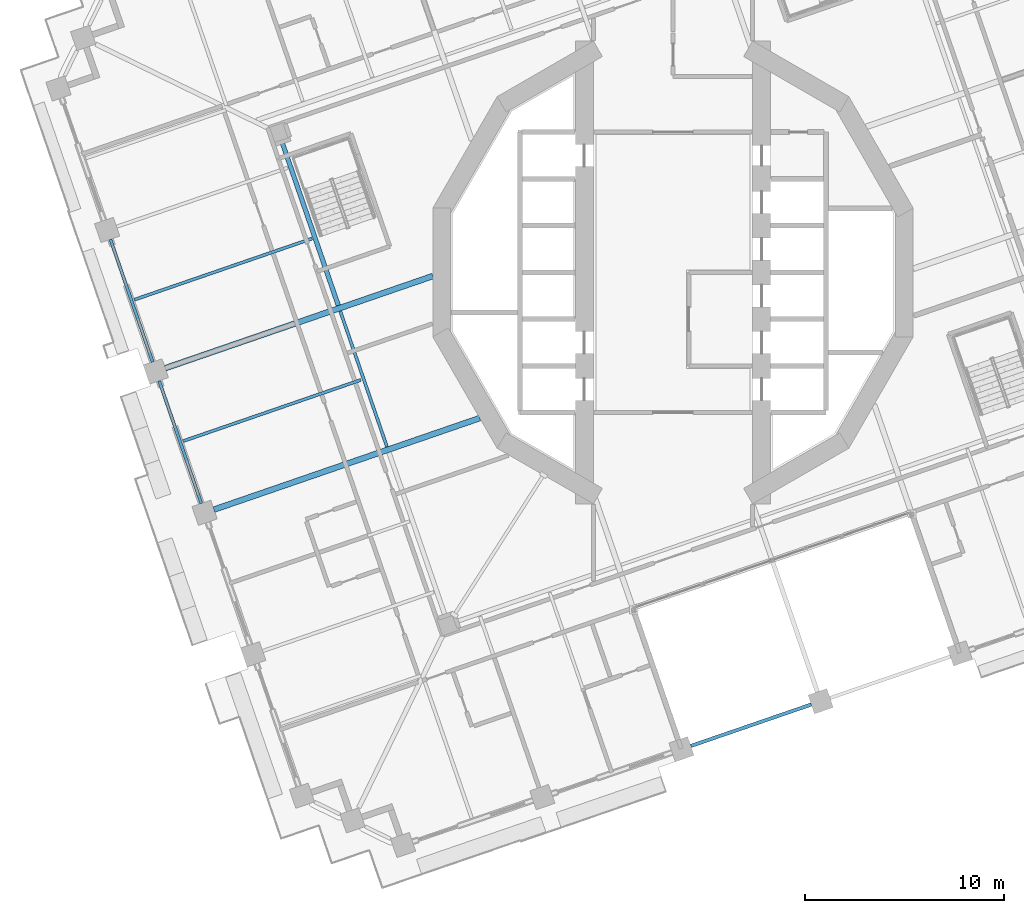
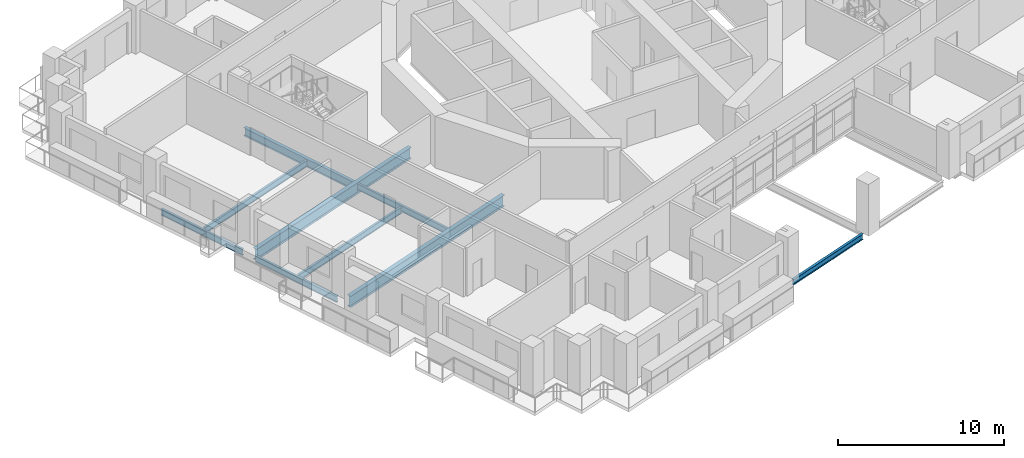
# One storey, part 3 of 22: 9 beams.
"""IFC4 building model written with IfcOpenShell, lengths in metres."""

from ifc_helpers import new_model, si_unit, direction, frame, origin, origin_2d, place, context, subcontext, project, spatial, i_section, extrude, material, material_profile, profile_set, type_object, element, save


model = new_model("IFC4")

# Units and contexts
model_context = context("Model", 3, precision=1e-05, world=origin(), true_north=direction((0.0, 1.0)))
body_context = subcontext(model_context, "Body", "Model", "MODEL_VIEW")
ifc_project = project(units=[si_unit("LENGTHUNIT", "METRE"), si_unit("AREAUNIT", "SQUARE_METRE"), si_unit("VOLUMEUNIT", "CUBIC_METRE"), si_unit("PLANEANGLEUNIT", "RADIAN"), si_unit("MASSUNIT", "GRAM", prefix="KILO")], contexts=[model_context])

# Site, building, storey
site_placement = place(None, origin())
site = spatial("IfcSite", under=ifc_project, at=site_placement, CompositionType="ELEMENT")
building_placement = place(site_placement, origin())
building = spatial("IfcBuilding", under=site, at=building_placement, Name="Cantera Rosa Tower", CompositionType="ELEMENT")
storey_placement = place(building_placement, frame((0.0, 0.0, 107.89990234375)))
storey = spatial("IfcBuildingStorey", under=building, at=storey_placement, Name="L21", CompositionType="ELEMENT", Elevation=107.89990234375)

# Beams
ifc_material_1 = material(Name="Steel ASTM A992 (Fy 345 MPa)", Category="steel")
ifc_material_profile_1 = material_profile(ifc_material_1, i_section(OverallWidth=0.154052734375, OverallDepth=0.4599609375, WebThickness=0.009033203125, FlangeThickness=0.015380859375, FilletRadius=0.01025390625, at=origin_2d()), Name="W460X68")
ifc_profile_set_1 = profile_set([ifc_material_profile_1], Name="Steel ASTM A992 (Fy 345 MPa)")
beam_type_1 = type_object("IfcBeamType", Name="STEEL BEAM W460X68", PredefinedType="BEAM", material=ifc_profile_set_1)
beam_1_placement = place(storey_placement, frame((-14.37841796875, -8.768798828125, -0.47998046875), z_axis=(-0.325575881702, 0.94551591486, 0.0), x_axis=(-0.94551591486, -0.325575881702, 0.0)))
element("IfcBeam", 1, at=beam_1_placement, inside=storey, type_object=beam_type_1, Name="RB-Z2-13 L21", PredefinedType="BEAM", context=body_context, shape_type="SweptSolid", body=[
    extrude(i_section(OverallWidth=0.154052734375, OverallDepth=0.4599609375, WebThickness=0.009033203125, FlangeThickness=0.015380859375, FilletRadius=0.01025390625, at=origin_2d()), origin(), (0.0, 0.0, 1.0), 7.2197265625),
])
ifc_material_2 = material(Name="Steel ASTM A992 (Fy 345 MPa)", Category="steel")
ifc_material_profile_2 = material_profile(ifc_material_2, i_section(OverallWidth=0.22802734375, OverallDepth=0.60205078125, WebThickness=0.010498046875, FlangeThickness=0.014892578125, FilletRadius=0.0126953125, at=origin_2d()), Name="W610X101")
ifc_profile_set_2 = profile_set([ifc_material_profile_2], Name="Steel ASTM A992 (Fy 345 MPa)")
beam_type_2 = type_object("IfcBeamType", Name="STEEL BEAM W610X101", PredefinedType="BEAM", material=ifc_profile_set_2)
beam_2_placement = place(storey_placement, frame((-16.82666015625, -1.65869140625, -0.55078125), z_axis=(-0.325584584945, 0.945512917969, 0.0), x_axis=(-0.945512917969, -0.325584584945, 0.0)))
element("IfcBeam", 2, at=beam_2_placement, inside=storey, type_object=beam_type_2, Name="RB-Z2-14 L21", PredefinedType="BEAM", context=body_context, shape_type="SweptSolid", body=[
    extrude(i_section(OverallWidth=0.22802734375, OverallDepth=0.60205078125, WebThickness=0.010498046875, FlangeThickness=0.014892578125, FilletRadius=0.0126953125, at=origin_2d()), origin(), (0.0, 0.0, 1.0), 8.68994140625),
])
ifc_material_3 = material(Name="Steel ASTM A992 (Fy 345 MPa)", Category="steel")
ifc_material_profile_3 = material_profile(ifc_material_3, i_section(OverallWidth=0.2919921875, OverallDepth=0.8359375, WebThickness=0.013916015625, FlangeThickness=0.018798828125, FilletRadius=0.017822265625, at=origin_2d()), Name="W840X176")
ifc_profile_set_3 = profile_set([ifc_material_profile_3], Name="Steel ASTM A992 (Fy 345 MPa)")
beam_type_3 = type_object("IfcBeamType", Name="STEEL BEAM W840X176", PredefinedType="BEAM", material=ifc_profile_set_3)
beam_3_placement = place(storey_placement, frame((-25.52392578125, -4.81201171875, -0.66796875), z_axis=(0.945515154884, 0.325578088765, 0.0), x_axis=(-0.325578088765, 0.945515154884, 0.0)))
element("IfcBeam", 3, at=beam_3_placement, inside=storey, type_object=beam_type_3, Name="G-Z2-16 L21", PredefinedType="BEAM", context=body_context, shape_type="SweptSolid", body=[
    extrude(i_section(OverallWidth=0.2919921875, OverallDepth=0.8359375, WebThickness=0.013916015625, FlangeThickness=0.018798828125, FilletRadius=0.017822265625, at=origin_2d()), origin(), (0.0, 0.0, 1.0), 14.22509765625),
])
beam_4_placement = place(storey_placement, frame((-23.07568359375, -11.92236328125, -0.66796875), z_axis=(0.945516836256, 0.325573205833, 0.0), x_axis=(-0.325573205833, 0.945516836256, 0.0)))
element("IfcBeam", 4, at=beam_4_placement, inside=storey, type_object=beam_type_3, Name="G-Z2-17 L21", PredefinedType="BEAM", context=body_context, shape_type="SweptSolid", body=[
    extrude(i_section(OverallWidth=0.2919921875, OverallDepth=0.8359375, WebThickness=0.013916015625, FlangeThickness=0.018798828125, FilletRadius=0.017822265625, at=origin_2d()), origin(), (0.0, 0.0, 1.0), 14.130615234375),
])
ifc_material_4 = material(Name="Steel ASTM A992 (Fy 345 MPa)", Category="steel")
ifc_material_profile_4 = material_profile(ifc_material_4, i_section(OverallWidth=0.154052734375, OverallDepth=0.4599609375, WebThickness=0.009033203125, FlangeThickness=0.015380859375, FilletRadius=0.01025390625, at=origin_2d()), Name="W460X68")
ifc_profile_set_4 = profile_set([ifc_material_profile_4], Name="Steel ASTM A992 (Fy 345 MPa)")
beam_type_4 = type_object("IfcBeamType", Name="STEEL JOIST W460X68", PredefinedType="JOIST", material=ifc_profile_set_4)
for number, where, z_axis, x_axis, name in (
    (5, (-27.0791015625, -1.370849609375, -0.47998046875), (0.945518943957, 0.325567084667, 0.0), (-0.325567084667, 0.945518943957, 0.0), "B-Z2-19 L21"),
    (6, (-24.630859375, -8.48095703125, -0.47998046875), (0.945526896389, 0.325543988125, 0.0), (-0.325543988125, 0.945526896389, 0.0), "B-Z2-20 L21"),
):
    element("IfcBeam", number, at=place(storey_placement, frame(where, z_axis=z_axis, x_axis=x_axis)), inside=storey, type_object=beam_type_4, Name=name, PredefinedType="JOIST", context=body_context, shape_type="SweptSolid", body=[
        extrude(i_section(OverallWidth=0.154052734375, OverallDepth=0.4599609375, WebThickness=0.009033203125, FlangeThickness=0.015380859375, FilletRadius=0.01025390625, at=origin_2d()), origin(), (0.0, 0.0, 1.0), 9.4501953125),
    ])
ifc_material_5 = material(Name="Steel ASTM A992 (Fy 345 MPa)", Category="steel")
ifc_material_profile_5 = material_profile(ifc_material_5, i_section(OverallWidth=0.177978515625, OverallDepth=0.406005859375, WebThickness=0.0078125, FlangeThickness=0.0126953125, FilletRadius=0.01025390625, at=origin_2d()), Name="W410X60")
ifc_profile_set_5 = profile_set([ifc_material_profile_5], Name="Steel ASTM A992 (Fy 345 MPa)")
beam_type_5 = type_object("IfcBeamType", Name="STEEL SPANDREL BEAM W410X60", PredefinedType="SPANDREL", material=ifc_profile_set_5)
beam_5_placement = place(storey_placement, frame((0.89892578125, -23.80419921875, -0.452880859375), z_axis=(0.945524496524, 0.325550958337, 0.0), x_axis=(-0.325550958337, 0.945524496524, 0.0)))
element("IfcBeam", 7, at=beam_5_placement, inside=storey, type_object=beam_type_5, Name="EB-Z2-25 L21", PredefinedType="SPANDREL", context=body_context, shape_type="SweptSolid", body=[
    extrude(i_section(OverallWidth=0.177978515625, OverallDepth=0.406005859375, WebThickness=0.0078125, FlangeThickness=0.0126953125, FilletRadius=0.01025390625, at=origin_2d()), origin(), (0.0, 0.0, 1.0), 6.39990234375),
])
ifc_material_6 = material(Name="Steel ASTM A992 (Fy 345 MPa)", Category="steel")
ifc_material_profile_6 = material_profile(ifc_material_6, i_section(OverallWidth=0.154052734375, OverallDepth=0.4599609375, WebThickness=0.009033203125, FlangeThickness=0.015380859375, FilletRadius=0.01025390625, at=origin_2d()), Name="W460X68")
ifc_profile_set_6 = profile_set([ifc_material_profile_6], Name="Steel ASTM A992 (Fy 345 MPa)")
beam_type_6 = type_object("IfcBeamType", Name="STEEL SPANDREL BEAM W460X68", PredefinedType="SPANDREL", material=ifc_profile_set_6)
for number, where, z_axis, x_axis, name in (
    (8, (-28.2822265625, 1.662841796875, -0.47998046875), (0.325580990241, -0.945514155787, 0.0), (0.945514155787, 0.325580990241, 0.0), "EB-Z2-17 L21"),
    (9, (-25.833984375, -5.447509765625, -0.47998046875), (0.325580990241, -0.945514155787, 0.0), (0.945514155787, 0.325580990241, 0.0), "EB-Z2-18 L21"),
):
    element("IfcBeam", number, at=place(storey_placement, frame(where, z_axis=z_axis, x_axis=x_axis)), inside=storey, type_object=beam_type_6, Name=name, PredefinedType="SPANDREL", context=body_context, shape_type="SweptSolid", body=[
        extrude(i_section(OverallWidth=0.154052734375, OverallDepth=0.4599609375, WebThickness=0.009033203125, FlangeThickness=0.015380859375, FilletRadius=0.01025390625, at=origin_2d()), origin(), (0.0, 0.0, 1.0), 6.52001953125),
    ])

save(model, "model.ifc")
